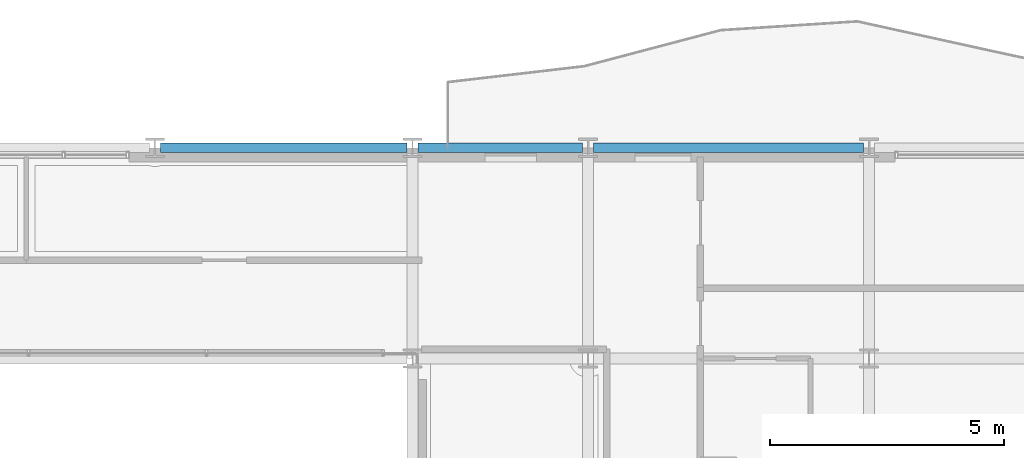
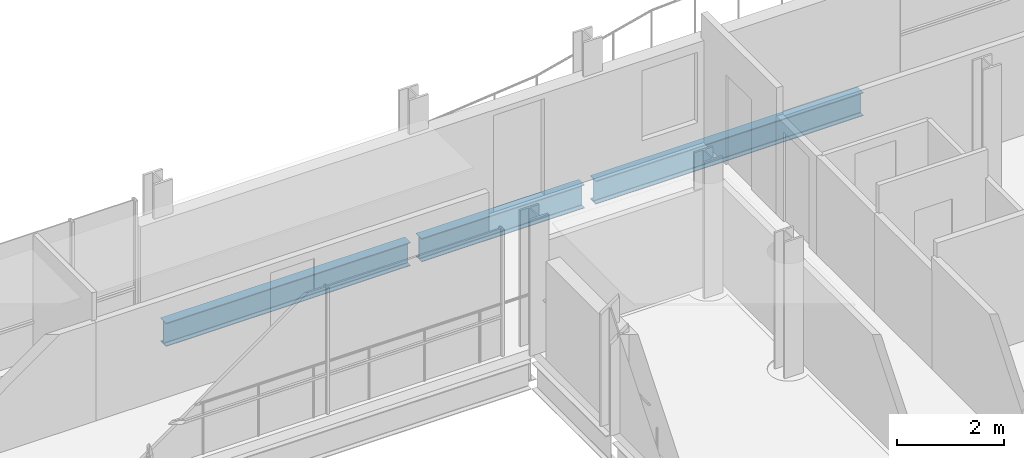
# One storey, part 25 of 41: 3 beams.
"""IFC4 building model written with IfcOpenShell, lengths in metres."""

from ifc_helpers import new_model, si_unit, direction, frame, origin, origin_2d, place, context, subcontext, project, spatial, i_section, extrude, material, material_profile, profile_set, type_object, element, save


model = new_model("IFC4")

# Units and contexts
model_context = context("Model", 3, precision=1e-05, world=origin(), true_north=direction((0.0, 1.0)))
body_context = subcontext(model_context, "Body", "Model", "MODEL_VIEW")
ifc_project = project(units=[si_unit("LENGTHUNIT", "METRE"), si_unit("AREAUNIT", "SQUARE_METRE"), si_unit("VOLUMEUNIT", "CUBIC_METRE"), si_unit("PLANEANGLEUNIT", "RADIAN"), si_unit("MASSUNIT", "GRAM", prefix="KILO")], contexts=[model_context])

# Site, building, storey
site_placement = place(None, origin())
site = spatial("IfcSite", under=ifc_project, at=site_placement, CompositionType="ELEMENT")
building_placement = place(site_placement, origin())
building = spatial("IfcBuilding", under=site, at=building_placement, Name="Brevholm Reach", CompositionType="ELEMENT")
storey_placement = place(building_placement, frame((0.0, 0.0, 163.5)))
storey = spatial("IfcBuildingStorey", under=building, at=storey_placement, Name="L49", CompositionType="ELEMENT", Elevation=163.5)

# Beams
ifc_material = material(Name="Structural Steel S355J2", Category="steel")
ifc_material_profile = material_profile(ifc_material, i_section(OverallWidth=0.209228515625, OverallDepth=0.533203125, WebThickness=0.010009765625, FlangeThickness=0.015625, FilletRadius=0.0126953125, at=origin_2d()), Name="UKB 533x210x92")
ifc_profile_set = profile_set([ifc_material_profile], Name="Structural Steel S355J2")
beam_type = type_object("IfcBeamType", Name="BM-SP533", PredefinedType="SPANDREL", material=ifc_profile_set)
beam_1_placement = place(storey_placement, frame((32.8701171875, 31.0, -0.486572265625), z_axis=(1.0, 0.0, 0.0), x_axis=(0.0, 1.0, 0.0)))
element("IfcBeam", 1, at=beam_1_placement, inside=storey, type_object=beam_type, Name="L49 SP-02 Framing Beam", PredefinedType="SPANDREL", context=body_context, shape_type="SweptSolid", body=[
    extrude(i_section(OverallWidth=0.209228515625, OverallDepth=0.533203125, WebThickness=0.010009765625, FlangeThickness=0.015625, FilletRadius=0.0126953125, at=origin_2d()), origin(), (0.0, 0.0, 1.0), 5.259765625),
])
beam_2_placement = place(storey_placement, frame((38.3701171875, 31.0, -0.486572265625), z_axis=(1.0, 0.0, 0.0), x_axis=(0.0, 1.0, 0.0)))
element("IfcBeam", 2, at=beam_2_placement, inside=storey, type_object=beam_type, Name="L49 SP-02 Framing Beam", PredefinedType="SPANDREL", context=body_context, shape_type="SweptSolid", body=[
    extrude(i_section(OverallWidth=0.209228515625, OverallDepth=0.533203125, WebThickness=0.010009765625, FlangeThickness=0.015625, FilletRadius=0.0126953125, at=origin_2d()), origin(), (0.0, 0.0, 1.0), 3.509765625),
])
beam_3_placement = place(storey_placement, frame((42.1201171875, 31.0, -0.486572265625), z_axis=(1.0, 0.0, 0.0), x_axis=(0.0, 1.0, 0.0)))
element("IfcBeam", 3, at=beam_3_placement, inside=storey, type_object=beam_type, Name="L49 SP-02 Framing Beam", PredefinedType="SPANDREL", context=body_context, shape_type="SweptSolid", body=[
    extrude(i_section(OverallWidth=0.209228515625, OverallDepth=0.533203125, WebThickness=0.010009765625, FlangeThickness=0.015625, FilletRadius=0.0126953125, at=origin_2d()), origin(), (0.0, 0.0, 1.0), 5.759765625),
])

save(model, "model.ifc")
